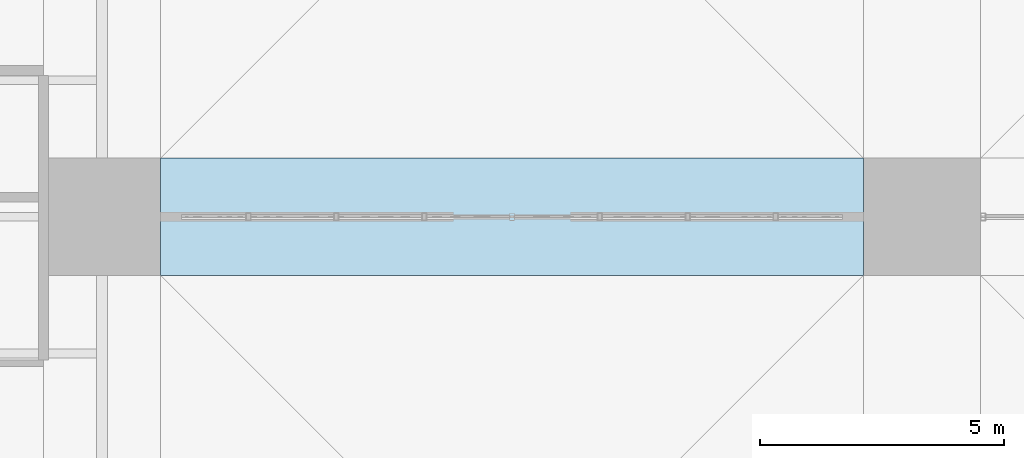
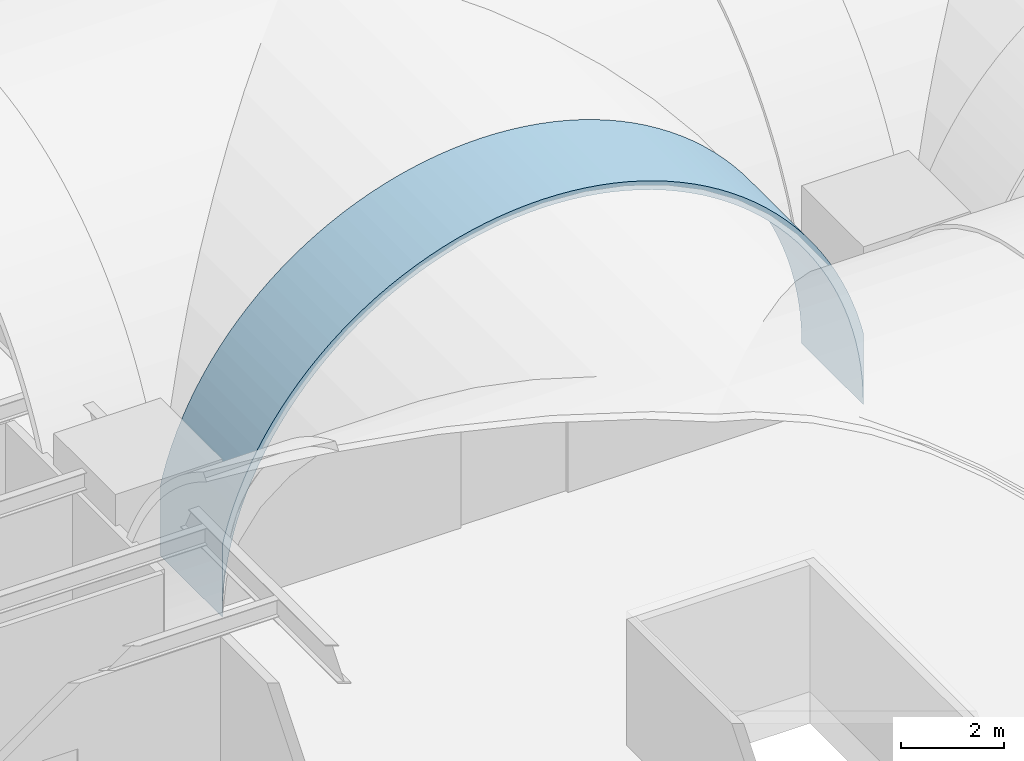
# One storey, part 114 of 169: 1 roof.
"""IFC4 building model written with IfcOpenShell, lengths in metres."""

from ifc_helpers import new_model, si_unit, direction, frame, origin, place, context, subcontext, project, spatial, polygons, material, layer, layer_set, type_object, element, save


model = new_model("IFC4")

# Units and contexts
model_context = context("Model", 3, precision=1e-05, world=origin(), true_north=direction((0.0, 1.0)))
body_context = subcontext(model_context, "Body", "Model", "MODEL_VIEW")
ifc_project = project(units=[si_unit("LENGTHUNIT", "METRE"), si_unit("AREAUNIT", "SQUARE_METRE"), si_unit("VOLUMEUNIT", "CUBIC_METRE"), si_unit("PLANEANGLEUNIT", "RADIAN"), si_unit("MASSUNIT", "GRAM", prefix="KILO")], contexts=[model_context])

# Site, building, storey
site_placement = place(None, origin())
site = spatial("IfcSite", under=ifc_project, at=site_placement, CompositionType="ELEMENT")
building_placement = place(site_placement, origin())
building = spatial("IfcBuilding", under=site, at=building_placement, Name="Verrick Yard Athletic Hall", CompositionType="ELEMENT")
storey_placement = place(building_placement, frame((0.0, 0.0, 4.39990234375)))
storey = spatial("IfcBuildingStorey", under=building, at=storey_placement, Name="L01", CompositionType="ELEMENT", Elevation=4.39990234375)

# Roof
ifc_material = material(Name="Concrete 35 MPa", Category="concrete")
ifc_layer = layer(ifc_material, 0.199951171875)
ifc_layer_set = layer_set([ifc_layer], Name="Arch rib 200")
roof_type = type_object("IfcRoofType", Name="Arch rib 200", PredefinedType="BARREL_ROOF", material=ifc_layer_set)
roof_placement = place(storey_placement, origin())
element("IfcRoof", 1, at=roof_placement, inside=storey, type_object=roof_type, Name="Vault rib M1", PredefinedType="BARREL_ROOF", context=body_context, shape_type="Tessellation", body=[
    polygons([(41.199951171875, 34.800048828125, 2.352294921875), (41.199951171875, 34.800048828125, 0.650146484375), (41.206787109375, 34.800048828125, 0.964111328125), (41.227294921875, 34.800048828125, 1.277587890625), (41.26171875, 34.800048828125, 1.58984375), (41.309326171875, 34.800048828125, 1.900390625), (41.37060546875, 34.800048828125, 2.20849609375), (41.4453125, 34.800048828125, 2.513671875), (41.533203125, 34.800048828125, 2.815185546875), (41.63427734375, 34.800048828125, 3.112548828125), (41.748046875, 34.800048828125, 3.405517578125), (41.87451171875, 34.800048828125, 3.693115234375), (42.013427734375, 34.800048828125, 3.974609375), (42.16455078125, 34.800048828125, 4.25), (42.32763671875, 34.800048828125, 4.518798828125), (42.502197265625, 34.800048828125, 4.77978515625), (42.68798828125, 34.800048828125, 5.033203125), (42.884521484375, 34.800048828125, 5.278076171875), (43.091552734375, 34.800048828125, 5.514404296875), (43.308837890625, 34.800048828125, 5.7412109375), (43.535888671875, 34.800048828125, 5.95849609375), (43.77197265625, 34.800048828125, 6.16552734375), (44.016845703125, 34.800048828125, 6.3623046875), (44.270263671875, 34.800048828125, 6.548095703125), (44.531494140625, 34.800048828125, 6.722412109375), (44.800048828125, 34.800048828125, 6.885498046875), (45.075439453125, 34.800048828125, 7.03662109375), (45.357177734375, 34.800048828125, 7.175537109375), (45.644775390625, 34.800048828125, 7.302001953125), (45.9375, 34.800048828125, 7.416015625), (46.23486328125, 34.800048828125, 7.516845703125), (46.53662109375, 34.800048828125, 7.604736328125), (46.841552734375, 34.800048828125, 7.679443359375), (47.149658203125, 34.800048828125, 7.74072265625), (47.460205078125, 34.800048828125, 7.78857421875), (47.7724609375, 34.800048828125, 7.82275390625), (48.0859375, 34.800048828125, 7.84326171875), (48.39990234375, 34.800048828125, 7.85009765625), (48.714111328125, 34.800048828125, 7.84326171875), (49.027587890625, 34.800048828125, 7.82275390625), (49.33984375, 34.800048828125, 7.78857421875), (49.650390625, 34.800048828125, 7.74072265625), (49.95849609375, 34.800048828125, 7.679443359375), (50.263427734375, 34.800048828125, 7.604736328125), (50.565185546875, 34.800048828125, 7.516845703125), (50.862548828125, 34.800048828125, 7.416015625), (51.1552734375, 34.800048828125, 7.302001953125), (51.44287109375, 34.800048828125, 7.175537109375), (51.724609375, 34.800048828125, 7.03662109375), (52.0, 34.800048828125, 6.885498046875), (52.2685546875, 34.800048828125, 6.722412109375), (52.52978515625, 34.800048828125, 6.548095703125), (52.783203125, 34.800048828125, 6.3623046875), (53.028076171875, 34.800048828125, 6.16552734375), (53.26416015625, 34.800048828125, 5.95849609375), (53.4912109375, 34.800048828125, 5.7412109375), (53.70849609375, 34.800048828125, 5.514404296875), (53.91552734375, 34.800048828125, 5.278076171875), (54.112060546875, 34.800048828125, 5.033203125), (54.2978515625, 34.800048828125, 4.77978515625), (54.472412109375, 34.800048828125, 4.518798828125), (54.635498046875, 34.800048828125, 4.25), (54.78662109375, 34.800048828125, 3.974609375), (54.92529296875, 34.800048828125, 3.693115234375), (55.052001953125, 34.800048828125, 3.405517578125), (55.165771484375, 34.800048828125, 3.112548828125), (55.266845703125, 34.800048828125, 2.815185546875), (55.354736328125, 34.800048828125, 2.513671875), (55.42919921875, 34.800048828125, 2.20849609375), (55.490478515625, 34.800048828125, 1.900390625), (55.538330078125, 34.800048828125, 1.58984375), (55.572509765625, 34.800048828125, 1.277587890625), (55.593017578125, 34.800048828125, 0.964111328125), (55.60009765625, 34.800048828125, 0.650146484375), (55.60009765625, 34.800048828125, 2.352294921875), (55.5478515625, 34.800048828125, 2.5654296875), (55.45751953125, 34.800048828125, 2.875244140625), (55.353759765625, 34.800048828125, 3.180908203125), (55.23681640625, 34.800048828125, 3.48193359375), (55.106689453125, 34.800048828125, 3.777587890625), (54.9638671875, 34.800048828125, 4.06689453125), (54.80859375, 34.800048828125, 4.35009765625), (54.64111328125, 34.800048828125, 4.6259765625), (54.461669921875, 34.800048828125, 4.89453125), (54.270751953125, 34.800048828125, 5.15478515625), (54.068603515625, 34.800048828125, 5.40673828125), (53.85595703125, 34.800048828125, 5.6494140625), (53.632568359375, 34.800048828125, 5.8828125), (53.3994140625, 34.800048828125, 6.10595703125), (53.156494140625, 34.800048828125, 6.31884765625), (52.90478515625, 34.800048828125, 6.52099609375), (52.64453125, 34.800048828125, 6.7119140625), (52.3759765625, 34.800048828125, 6.89111328125), (52.10009765625, 34.800048828125, 7.05859375), (51.81689453125, 34.800048828125, 7.214111328125), (51.52734375, 34.800048828125, 7.356689453125), (51.23193359375, 34.800048828125, 7.48681640625), (50.930908203125, 34.800048828125, 7.603759765625), (50.625244140625, 34.800048828125, 7.70751953125), (50.315185546875, 34.800048828125, 7.798095703125), (50.001708984375, 34.800048828125, 7.874755859375), (49.68505859375, 34.800048828125, 7.937744140625), (49.365966796875, 34.800048828125, 7.98681640625), (49.044921875, 34.800048828125, 8.02197265625), (48.722900390625, 34.800048828125, 8.043212890625), (48.39990234375, 34.800048828125, 8.050048828125), (48.0771484375, 34.800048828125, 8.043212890625), (47.7548828125, 34.800048828125, 8.02197265625), (47.43408203125, 34.800048828125, 7.98681640625), (47.114990234375, 34.800048828125, 7.937744140625), (46.79833984375, 34.800048828125, 7.874755859375), (46.484619140625, 34.800048828125, 7.798095703125), (46.1748046875, 34.800048828125, 7.70751953125), (45.869140625, 34.800048828125, 7.603759765625), (45.568115234375, 34.800048828125, 7.48681640625), (45.272705078125, 34.800048828125, 7.356689453125), (44.983154296875, 34.800048828125, 7.214111328125), (44.699951171875, 34.800048828125, 7.05859375), (44.424072265625, 34.800048828125, 6.89111328125), (44.155517578125, 34.800048828125, 6.7119140625), (43.895263671875, 34.800048828125, 6.52099609375), (43.643310546875, 34.800048828125, 6.31884765625), (43.400634765625, 34.800048828125, 6.10595703125), (43.16748046875, 34.800048828125, 5.8828125), (42.944091796875, 34.800048828125, 5.6494140625), (42.731201171875, 34.800048828125, 5.40673828125), (42.529296875, 34.800048828125, 5.15478515625), (42.33837890625, 34.800048828125, 4.89453125), (42.158935546875, 34.800048828125, 4.6259765625), (41.991455078125, 34.800048828125, 4.35009765625), (41.836181640625, 34.800048828125, 4.06689453125), (41.693359375, 34.800048828125, 3.777587890625), (41.563232421875, 34.800048828125, 3.48193359375), (41.4462890625, 34.800048828125, 3.180908203125), (41.342529296875, 34.800048828125, 2.875244140625), (41.252197265625, 34.800048828125, 2.5654296875), (41.199951171875, 37.199951171875, 2.352294921875), (41.199951171875, 37.199951171875, 0.650146484375), (41.206787109375, 37.199951171875, 0.964111328125), (41.227294921875, 37.199951171875, 1.277587890625), (41.26171875, 37.199951171875, 1.58984375), (41.309326171875, 37.199951171875, 1.900390625), (41.37060546875, 37.199951171875, 2.20849609375), (41.4453125, 37.199951171875, 2.513671875), (41.533203125, 37.199951171875, 2.815185546875), (41.63427734375, 37.199951171875, 3.112548828125), (41.748046875, 37.199951171875, 3.405517578125), (41.87451171875, 37.199951171875, 3.693115234375), (42.013427734375, 37.199951171875, 3.974609375), (42.16455078125, 37.199951171875, 4.25), (42.32763671875, 37.199951171875, 4.518798828125), (42.502197265625, 37.199951171875, 4.77978515625), (42.68798828125, 37.199951171875, 5.033203125), (42.884521484375, 37.199951171875, 5.278076171875), (43.091552734375, 37.199951171875, 5.514404296875), (43.308837890625, 37.199951171875, 5.7412109375), (43.535888671875, 37.199951171875, 5.95849609375), (43.77197265625, 37.199951171875, 6.16552734375), (44.016845703125, 37.199951171875, 6.3623046875), (44.270263671875, 37.199951171875, 6.548095703125), (44.531494140625, 37.199951171875, 6.722412109375), (44.800048828125, 37.199951171875, 6.885498046875), (45.075439453125, 37.199951171875, 7.03662109375), (45.357177734375, 37.199951171875, 7.175537109375), (45.644775390625, 37.199951171875, 7.302001953125), (45.9375, 37.199951171875, 7.416015625), (46.23486328125, 37.199951171875, 7.516845703125), (46.53662109375, 37.199951171875, 7.604736328125), (46.841552734375, 37.199951171875, 7.679443359375), (47.149658203125, 37.199951171875, 7.74072265625), (47.460205078125, 37.199951171875, 7.78857421875), (47.7724609375, 37.199951171875, 7.82275390625), (48.0859375, 37.199951171875, 7.84326171875), (48.39990234375, 37.199951171875, 7.85009765625), (48.714111328125, 37.199951171875, 7.84326171875), (49.027587890625, 37.199951171875, 7.82275390625), (49.33984375, 37.199951171875, 7.78857421875), (49.650390625, 37.199951171875, 7.74072265625), (49.95849609375, 37.199951171875, 7.679443359375), (50.263427734375, 37.199951171875, 7.604736328125), (50.565185546875, 37.199951171875, 7.516845703125), (50.862548828125, 37.199951171875, 7.416015625), (51.1552734375, 37.199951171875, 7.302001953125), (51.44287109375, 37.199951171875, 7.175537109375), (51.724609375, 37.199951171875, 7.03662109375), (52.0, 37.199951171875, 6.885498046875), (52.2685546875, 37.199951171875, 6.722412109375), (52.52978515625, 37.199951171875, 6.548095703125), (52.783203125, 37.199951171875, 6.3623046875), (53.028076171875, 37.199951171875, 6.16552734375), (53.26416015625, 37.199951171875, 5.95849609375), (53.4912109375, 37.199951171875, 5.7412109375), (53.70849609375, 37.199951171875, 5.514404296875), (53.91552734375, 37.199951171875, 5.278076171875), (54.112060546875, 37.199951171875, 5.033203125), (54.2978515625, 37.199951171875, 4.77978515625), (54.472412109375, 37.199951171875, 4.518798828125), (54.635498046875, 37.199951171875, 4.25), (54.78662109375, 37.199951171875, 3.974609375), (54.92529296875, 37.199951171875, 3.693115234375), (55.052001953125, 37.199951171875, 3.405517578125), (55.165771484375, 37.199951171875, 3.112548828125), (55.266845703125, 37.199951171875, 2.815185546875), (55.354736328125, 37.199951171875, 2.513671875), (55.42919921875, 37.199951171875, 2.20849609375), (55.490478515625, 37.199951171875, 1.900390625), (55.538330078125, 37.199951171875, 1.58984375), (55.572509765625, 37.199951171875, 1.277587890625), (55.593017578125, 37.199951171875, 0.964111328125), (55.60009765625, 37.199951171875, 0.650146484375), (55.60009765625, 37.199951171875, 2.352294921875), (55.5478515625, 37.199951171875, 2.5654296875), (55.45751953125, 37.199951171875, 2.875244140625), (55.353759765625, 37.199951171875, 3.180908203125), (55.23681640625, 37.199951171875, 3.48193359375), (55.106689453125, 37.199951171875, 3.777587890625), (54.9638671875, 37.199951171875, 4.06689453125), (54.80859375, 37.199951171875, 4.35009765625), (54.64111328125, 37.199951171875, 4.6259765625), (54.461669921875, 37.199951171875, 4.89453125), (54.270751953125, 37.199951171875, 5.15478515625), (54.068603515625, 37.199951171875, 5.40673828125), (53.85595703125, 37.199951171875, 5.6494140625), (53.632568359375, 37.199951171875, 5.8828125), (53.3994140625, 37.199951171875, 6.10595703125), (53.156494140625, 37.199951171875, 6.31884765625), (52.90478515625, 37.199951171875, 6.52099609375), (52.64453125, 37.199951171875, 6.7119140625), (52.3759765625, 37.199951171875, 6.89111328125), (52.10009765625, 37.199951171875, 7.05859375), (51.81689453125, 37.199951171875, 7.214111328125), (51.52734375, 37.199951171875, 7.356689453125), (51.23193359375, 37.199951171875, 7.48681640625), (50.930908203125, 37.199951171875, 7.603759765625), (50.625244140625, 37.199951171875, 7.70751953125), (50.315185546875, 37.199951171875, 7.798095703125), (50.001708984375, 37.199951171875, 7.874755859375), (49.68505859375, 37.199951171875, 7.937744140625), (49.365966796875, 37.199951171875, 7.98681640625), (49.044921875, 37.199951171875, 8.02197265625), (48.722900390625, 37.199951171875, 8.043212890625), (48.39990234375, 37.199951171875, 8.050048828125), (48.0771484375, 37.199951171875, 8.043212890625), (47.7548828125, 37.199951171875, 8.02197265625), (47.43408203125, 37.199951171875, 7.98681640625), (47.114990234375, 37.199951171875, 7.937744140625), (46.79833984375, 37.199951171875, 7.874755859375), (46.484619140625, 37.199951171875, 7.798095703125), (46.1748046875, 37.199951171875, 7.70751953125), (45.869140625, 37.199951171875, 7.603759765625), (45.568115234375, 37.199951171875, 7.48681640625), (45.272705078125, 37.199951171875, 7.356689453125), (44.983154296875, 37.199951171875, 7.214111328125), (44.699951171875, 37.199951171875, 7.05859375), (44.424072265625, 37.199951171875, 6.89111328125), (44.155517578125, 37.199951171875, 6.7119140625), (43.895263671875, 37.199951171875, 6.52099609375), (43.643310546875, 37.199951171875, 6.31884765625), (43.400634765625, 37.199951171875, 6.10595703125), (43.16748046875, 37.199951171875, 5.8828125), (42.944091796875, 37.199951171875, 5.6494140625), (42.731201171875, 37.199951171875, 5.40673828125), (42.529296875, 37.199951171875, 5.15478515625), (42.33837890625, 37.199951171875, 4.89453125), (42.158935546875, 37.199951171875, 4.6259765625), (41.991455078125, 37.199951171875, 4.35009765625), (41.836181640625, 37.199951171875, 4.06689453125), (41.693359375, 37.199951171875, 3.777587890625), (41.563232421875, 37.199951171875, 3.48193359375), (41.4462890625, 37.199951171875, 3.180908203125), (41.342529296875, 37.199951171875, 2.875244140625), (41.252197265625, 37.199951171875, 2.5654296875)], [[[1, 2, 3]], [[137, 139, 138]], [[136, 1, 3]], [[272, 139, 137]], [[136, 3, 4]], [[272, 140, 139]], [[136, 4, 5]], [[272, 141, 140]], [[136, 5, 6]], [[272, 142, 141]], [[136, 6, 7]], [[272, 143, 142]], [[136, 7, 8]], [[272, 144, 143]], [[136, 8, 9]], [[272, 145, 144]], [[136, 9, 10]], [[272, 146, 145]], [[136, 10, 11]], [[272, 147, 146]], [[136, 11, 12]], [[272, 148, 147]], [[136, 12, 13]], [[272, 149, 148]], [[73, 74, 75]], [[209, 211, 210]], [[72, 73, 75]], [[208, 211, 209]], [[71, 72, 75]], [[207, 211, 208]], [[70, 71, 75]], [[206, 211, 207]], [[69, 70, 75]], [[205, 211, 206]], [[68, 69, 75]], [[204, 211, 205]], [[67, 68, 75]], [[203, 211, 204]], [[66, 67, 75]], [[202, 211, 203]], [[65, 66, 75]], [[201, 211, 202]], [[64, 65, 75]], [[200, 211, 201]], [[63, 64, 75]], [[199, 211, 200]], [[63, 75, 76]], [[199, 212, 211]], [[63, 76, 77]], [[199, 213, 212]], [[62, 63, 77]], [[198, 213, 199]], [[62, 77, 78]], [[198, 214, 213]], [[61, 62, 78]], [[197, 214, 198]], [[61, 78, 79]], [[197, 215, 214]], [[60, 61, 79]], [[196, 215, 197]], [[60, 79, 80]], [[196, 216, 215]], [[59, 60, 80]], [[195, 216, 196]], [[59, 80, 81]], [[195, 217, 216]], [[58, 59, 81]], [[194, 217, 195]], [[58, 81, 82]], [[194, 218, 217]], [[57, 58, 82]], [[193, 218, 194]], [[57, 82, 83]], [[193, 219, 218]], [[56, 57, 83]], [[192, 219, 193]], [[56, 83, 84]], [[192, 220, 219]], [[55, 56, 84]], [[191, 220, 192]], [[55, 84, 85]], [[191, 221, 220]], [[54, 55, 85]], [[190, 221, 191]], [[54, 85, 86]], [[190, 222, 221]], [[53, 54, 86]], [[189, 222, 190]], [[53, 86, 87]], [[189, 223, 222]], [[52, 53, 87]], [[188, 223, 189]], [[52, 87, 88]], [[188, 224, 223]], [[51, 52, 88]], [[187, 224, 188]], [[51, 88, 89]], [[187, 225, 224]], [[50, 51, 89]], [[186, 225, 187]], [[50, 89, 90]], [[186, 226, 225]], [[49, 50, 90]], [[185, 226, 186]], [[49, 90, 91]], [[185, 227, 226]], [[48, 49, 91]], [[184, 227, 185]], [[48, 91, 92]], [[184, 228, 227]], [[47, 48, 92]], [[183, 228, 184]], [[47, 92, 93]], [[183, 229, 228]], [[46, 47, 93]], [[182, 229, 183]], [[46, 93, 94]], [[182, 230, 229]], [[45, 46, 94]], [[181, 230, 182]], [[45, 94, 95]], [[181, 231, 230]], [[44, 45, 95]], [[180, 231, 181]], [[44, 95, 96]], [[180, 232, 231]], [[43, 44, 96]], [[179, 232, 180]], [[43, 96, 97]], [[179, 233, 232]], [[42, 43, 97]], [[178, 233, 179]], [[42, 97, 98]], [[178, 234, 233]], [[41, 42, 98]], [[177, 234, 178]], [[41, 98, 99]], [[177, 235, 234]], [[40, 41, 99]], [[176, 235, 177]], [[40, 99, 100]], [[176, 236, 235]], [[39, 40, 100]], [[175, 236, 176]], [[39, 100, 101]], [[175, 237, 236]], [[38, 39, 101]], [[174, 237, 175]], [[38, 101, 102]], [[174, 238, 237]], [[37, 38, 102]], [[173, 238, 174]], [[37, 102, 103]], [[173, 239, 238]], [[36, 37, 103]], [[172, 239, 173]], [[36, 103, 104]], [[172, 240, 239]], [[35, 36, 104]], [[171, 240, 172]], [[35, 104, 105]], [[171, 241, 240]], [[34, 35, 105]], [[170, 241, 171]], [[34, 105, 106]], [[170, 242, 241]], [[33, 34, 106]], [[169, 242, 170]], [[33, 106, 107]], [[169, 243, 242]], [[32, 33, 107]], [[168, 243, 169]], [[32, 107, 108]], [[168, 244, 243]], [[31, 32, 108]], [[167, 244, 168]], [[31, 108, 109]], [[167, 245, 244]], [[30, 31, 109]], [[166, 245, 167]], [[30, 109, 110]], [[166, 246, 245]], [[29, 30, 110]], [[165, 246, 166]], [[29, 110, 111]], [[165, 247, 246]], [[28, 29, 111]], [[164, 247, 165]], [[28, 111, 112]], [[164, 248, 247]], [[27, 28, 112]], [[163, 248, 164]], [[27, 112, 113]], [[163, 249, 248]], [[26, 27, 113]], [[162, 249, 163]], [[26, 113, 114]], [[162, 250, 249]], [[25, 26, 114]], [[161, 250, 162]], [[25, 114, 115]], [[161, 251, 250]], [[24, 25, 115]], [[160, 251, 161]], [[24, 115, 116]], [[160, 252, 251]], [[23, 24, 116]], [[159, 252, 160]], [[23, 116, 117]], [[159, 253, 252]], [[22, 23, 117]], [[158, 253, 159]], [[22, 117, 118]], [[158, 254, 253]], [[21, 22, 118]], [[157, 254, 158]], [[21, 118, 119]], [[157, 255, 254]], [[20, 21, 119]], [[156, 255, 157]], [[20, 119, 120]], [[156, 256, 255]], [[19, 20, 120]], [[155, 256, 156]], [[19, 120, 121]], [[155, 257, 256]], [[18, 19, 121]], [[154, 257, 155]], [[18, 121, 122]], [[154, 258, 257]], [[17, 18, 122]], [[153, 258, 154]], [[17, 122, 123]], [[153, 259, 258]], [[16, 17, 123]], [[152, 259, 153]], [[16, 123, 124]], [[152, 260, 259]], [[15, 16, 124]], [[151, 260, 152]], [[15, 124, 125]], [[151, 261, 260]], [[14, 15, 125]], [[150, 261, 151]], [[14, 125, 126]], [[150, 262, 261]], [[13, 14, 126]], [[149, 262, 150]], [[136, 13, 126]], [[272, 262, 149]], [[136, 126, 127]], [[272, 263, 262]], [[136, 127, 128]], [[272, 264, 263]], [[136, 128, 129]], [[272, 265, 264]], [[136, 129, 130]], [[272, 266, 265]], [[136, 130, 131]], [[272, 267, 266]], [[136, 131, 132]], [[272, 268, 267]], [[136, 132, 133]], [[272, 269, 268]], [[136, 133, 134]], [[272, 270, 269]], [[134, 135, 136]], [[270, 272, 271]], [[1, 138, 2]], [[1, 137, 138]], [[2, 139, 3]], [[2, 138, 139]], [[3, 140, 4]], [[3, 139, 140]], [[4, 141, 5]], [[4, 140, 141]], [[5, 142, 6]], [[5, 141, 142]], [[6, 143, 7]], [[6, 142, 143]], [[7, 144, 8]], [[7, 143, 144]], [[8, 145, 9]], [[8, 144, 145]], [[9, 146, 10]], [[9, 145, 146]], [[10, 147, 11]], [[10, 146, 147]], [[11, 148, 12]], [[11, 147, 148]], [[12, 149, 13]], [[12, 148, 149]], [[13, 150, 14]], [[13, 149, 150]], [[14, 151, 15]], [[14, 150, 151]], [[15, 152, 16]], [[15, 151, 152]], [[16, 153, 17]], [[16, 152, 153]], [[17, 154, 18]], [[17, 153, 154]], [[18, 155, 19]], [[18, 154, 155]], [[19, 156, 20]], [[19, 155, 156]], [[20, 157, 21]], [[20, 156, 157]], [[21, 158, 22]], [[21, 157, 158]], [[22, 159, 23]], [[22, 158, 159]], [[23, 160, 24]], [[23, 159, 160]], [[24, 161, 25]], [[24, 160, 161]], [[25, 162, 26]], [[25, 161, 162]], [[26, 163, 27]], [[26, 162, 163]], [[27, 164, 28]], [[27, 163, 164]], [[28, 165, 29]], [[28, 164, 165]], [[29, 166, 30]], [[29, 165, 166]], [[30, 167, 31]], [[30, 166, 167]], [[31, 168, 32]], [[31, 167, 168]], [[32, 169, 33]], [[32, 168, 169]], [[33, 170, 34]], [[33, 169, 170]], [[34, 171, 35]], [[34, 170, 171]], [[35, 172, 36]], [[35, 171, 172]], [[36, 173, 37]], [[36, 172, 173]], [[37, 174, 38]], [[37, 173, 174]], [[38, 175, 39]], [[38, 174, 175]], [[39, 176, 40]], [[39, 175, 176]], [[40, 177, 41]], [[40, 176, 177]], [[41, 178, 42]], [[41, 177, 178]], [[42, 179, 43]], [[42, 178, 179]], [[43, 180, 44]], [[43, 179, 180]], [[44, 181, 45]], [[44, 180, 181]], [[45, 182, 46]], [[45, 181, 182]], [[46, 183, 47]], [[46, 182, 183]], [[47, 184, 48]], [[47, 183, 184]], [[48, 185, 49]], [[48, 184, 185]], [[49, 186, 50]], [[49, 185, 186]], [[50, 187, 51]], [[50, 186, 187]], [[51, 188, 52]], [[51, 187, 188]], [[52, 189, 53]], [[52, 188, 189]], [[53, 190, 54]], [[53, 189, 190]], [[54, 191, 55]], [[54, 190, 191]], [[55, 192, 56]], [[55, 191, 192]], [[56, 193, 57]], [[56, 192, 193]], [[57, 194, 58]], [[57, 193, 194]], [[58, 195, 59]], [[58, 194, 195]], [[59, 196, 60]], [[59, 195, 196]], [[60, 197, 61]], [[60, 196, 197]], [[61, 198, 62]], [[61, 197, 198]], [[62, 199, 63]], [[62, 198, 199]], [[63, 200, 64]], [[63, 199, 200]], [[64, 201, 65]], [[64, 200, 201]], [[65, 202, 66]], [[65, 201, 202]], [[66, 203, 67]], [[66, 202, 203]], [[67, 204, 68]], [[67, 203, 204]], [[68, 205, 69]], [[68, 204, 205]], [[69, 206, 70]], [[69, 205, 206]], [[70, 207, 71]], [[70, 206, 207]], [[71, 208, 72]], [[71, 207, 208]], [[72, 209, 73]], [[72, 208, 209]], [[73, 210, 74]], [[73, 209, 210]], [[74, 211, 75]], [[74, 210, 211]], [[75, 212, 76]], [[75, 211, 212]], [[76, 213, 77]], [[76, 212, 213]], [[77, 214, 78]], [[77, 213, 214]], [[78, 215, 79]], [[78, 214, 215]], [[79, 216, 80]], [[79, 215, 216]], [[80, 217, 81]], [[80, 216, 217]], [[81, 218, 82]], [[81, 217, 218]], [[82, 219, 83]], [[82, 218, 219]], [[83, 220, 84]], [[83, 219, 220]], [[84, 221, 85]], [[84, 220, 221]], [[85, 222, 86]], [[85, 221, 222]], [[86, 223, 87]], [[86, 222, 223]], [[87, 224, 88]], [[87, 223, 224]], [[88, 225, 89]], [[88, 224, 225]], [[89, 226, 90]], [[89, 225, 226]], [[90, 227, 91]], [[90, 226, 227]], [[91, 228, 92]], [[91, 227, 228]], [[92, 229, 93]], [[92, 228, 229]], [[93, 230, 94]], [[93, 229, 230]], [[94, 231, 95]], [[94, 230, 231]], [[95, 232, 96]], [[95, 231, 232]], [[96, 233, 97]], [[96, 232, 233]], [[97, 234, 98]], [[97, 233, 234]], [[98, 235, 99]], [[98, 234, 235]], [[99, 236, 100]], [[99, 235, 236]], [[100, 237, 101]], [[100, 236, 237]], [[101, 238, 102]], [[101, 237, 238]], [[102, 239, 103]], [[102, 238, 239]], [[103, 240, 104]], [[103, 239, 240]], [[104, 241, 105]], [[104, 240, 241]], [[105, 242, 106]], [[105, 241, 242]], [[106, 243, 107]], [[106, 242, 243]], [[107, 244, 108]], [[107, 243, 244]], [[108, 245, 109]], [[108, 244, 245]], [[109, 246, 110]], [[109, 245, 246]], [[110, 247, 111]], [[110, 246, 247]], [[111, 248, 112]], [[111, 247, 248]], [[112, 249, 113]], [[112, 248, 249]], [[113, 250, 114]], [[113, 249, 250]], [[114, 251, 115]], [[114, 250, 251]], [[115, 252, 116]], [[115, 251, 252]], [[116, 253, 117]], [[116, 252, 253]], [[117, 254, 118]], [[117, 253, 254]], [[118, 255, 119]], [[118, 254, 255]], [[119, 256, 120]], [[119, 255, 256]], [[120, 257, 121]], [[120, 256, 257]], [[121, 258, 122]], [[121, 257, 258]], [[122, 259, 123]], [[122, 258, 259]], [[123, 260, 124]], [[123, 259, 260]], [[124, 261, 125]], [[124, 260, 261]], [[125, 262, 126]], [[125, 261, 262]], [[126, 263, 127]], [[126, 262, 263]], [[127, 264, 128]], [[127, 263, 264]], [[128, 265, 129]], [[128, 264, 265]], [[129, 266, 130]], [[129, 265, 266]], [[130, 267, 131]], [[130, 266, 267]], [[131, 268, 132]], [[131, 267, 268]], [[132, 269, 133]], [[132, 268, 269]], [[133, 270, 134]], [[133, 269, 270]], [[134, 271, 135]], [[134, 270, 271]], [[135, 272, 136]], [[135, 271, 272]], [[136, 137, 1]], [[136, 272, 137]]], closed=True),
])

save(model, "model.ifc")
